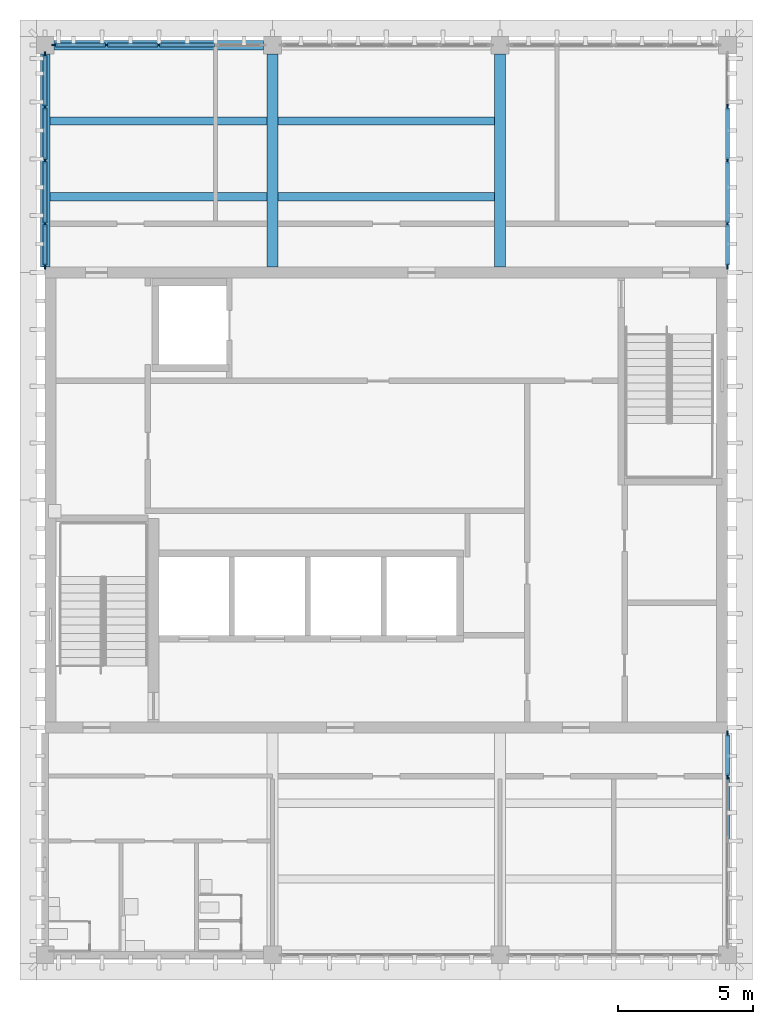
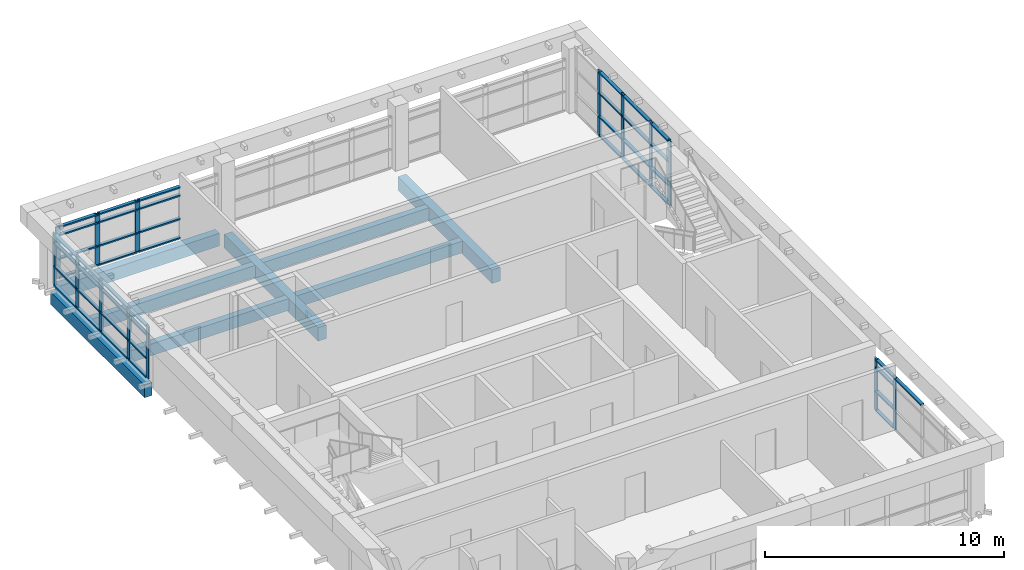
# One storey, part 2 of 10: 59 members, 8 beams, 4 elements without a shape of their own.
"""IFC4 building model written with IfcOpenShell, lengths in metres."""

from ifc_helpers import new_model, si_unit, direction, frame, origin, origin_2d, place, context, subcontext, project, spatial, rectangle, extrude, material, layer, layer_set, material_profile, profile_set, type_object, element, aggregate, save


model = new_model("IFC4")

# Units and contexts
model_context = context("Model", 3, precision=1e-05, world=origin(), true_north=direction((0.0, 1.0)))
body_context = subcontext(model_context, "Body", "Model", "MODEL_VIEW")
ifc_project = project(units=[si_unit("LENGTHUNIT", "METRE"), si_unit("AREAUNIT", "SQUARE_METRE"), si_unit("VOLUMEUNIT", "CUBIC_METRE"), si_unit("PLANEANGLEUNIT", "RADIAN"), si_unit("MASSUNIT", "GRAM", prefix="KILO")], contexts=[model_context])

# Site, building, storey
site_placement = place(None, origin())
site = spatial("IfcSite", under=ifc_project, at=site_placement, CompositionType="ELEMENT")
building_placement = place(site_placement, origin())
building = spatial("IfcBuilding", under=site, at=building_placement, Name="Rulbaag Community and Learning Centre", CompositionType="ELEMENT")
storey_placement = place(building_placement, frame((0.0, 0.0, 61.199951171875)))
storey = spatial("IfcBuildingStorey", under=building, at=storey_placement, Name="L16", CompositionType="ELEMENT", Elevation=61.199951171875)

# Beams
ifc_material_1 = material(Name="Concrete M40", Category="concrete")
ifc_material_profile_1 = material_profile(ifc_material_1, rectangle(XDim=0.39990234375, YDim=0.699951171875, at=origin_2d()), Name="RB400x700")
ifc_profile_set_1 = profile_set([ifc_material_profile_1], Name="Concrete M40")
beam_type_1 = type_object("IfcBeamType", Name="B13 Tower floor beam, upper zone 400x700 Concrete M40", PredefinedType="BEAM", material=ifc_profile_set_1)
for number, where, z_axis, x_axis, name in (
    (1, (151.199951171875, 109.39990234375, -0.64990234375), (0.0, 1.0, 0.0), (-1.0, 0.0, 0.0), "BM-L16-19N-19O"),
    (2, (159.60009765625, 109.39990234375, -0.64990234375), (0.0, 1.0, 0.0), (-1.0, 0.0, 0.0), "BM-L16-20N-20O"),
):
    element("IfcBeam", number, at=place(storey_placement, frame(where, z_axis=z_axis, x_axis=x_axis)), inside=storey, type_object=beam_type_1, Name=name, PredefinedType="BEAM", context=body_context, shape_type="SweptSolid", body=[
        extrude(rectangle(XDim=0.39990234375, YDim=0.699951171875, at=origin_2d()), origin(), (0.0, 0.0, 1.0), 7.8701171875),
    ])
ifc_material_profile_2 = material_profile(ifc_material_1, rectangle(XDim=0.35009765625, YDim=0.64990234375, at=origin_2d()), Name="RB350x650")
ifc_profile_set_2 = profile_set([ifc_material_profile_2], Name="Concrete M40")
beam_type_2 = type_object("IfcBeamType", Name="B14 Tower edge beam, upper zone 350x650 Concrete M40", PredefinedType="BEAM", material=ifc_profile_set_2)
beam_1_placement = place(storey_placement, frame((142.800048828125, 109.39990234375, -0.625), z_axis=(0.0, 1.0, 0.0), x_axis=(-1.0, 0.0, 0.0)))
element("IfcBeam", 3, at=beam_1_placement, inside=storey, type_object=beam_type_2, Name="BM-L16-18N-18O", PredefinedType="BEAM", context=body_context, shape_type="SweptSolid", body=[
    extrude(rectangle(XDim=0.35009765625, YDim=0.64990234375, at=origin_2d()), origin(), (0.0, 0.0, 1.0), 7.8701171875),
])
beam_2_placement = place(storey_placement, frame((143.1298828125, 117.60009765625, -0.625), z_axis=(1.0, 0.0, 0.0), x_axis=(0.0, 1.0, 0.0)))
element("IfcBeam", 4, at=beam_2_placement, inside=storey, type_object=beam_type_2, Name="BM-L16-18O-19O", PredefinedType="BEAM", context=body_context, shape_type="SweptSolid", body=[
    extrude(rectangle(XDim=0.35009765625, YDim=0.64990234375, at=origin_2d()), origin(), (0.0, 0.0, 1.0), 7.740234375),
])
ifc_material_profile_3 = material_profile(ifc_material_1, rectangle(XDim=0.300048828125, YDim=0.60009765625, at=origin_2d()), Name="RB300x600")
ifc_profile_set_3 = profile_set([ifc_material_profile_3], Name="Concrete M40")
beam_type_3 = type_object("IfcBeamType", Name="B30 Secondary joist 300x600 Concrete M40", PredefinedType="BEAM", material=ifc_profile_set_3)
for number, where, z_axis, x_axis, name in (
    (5, (142.97509765625, 112.0, -0.599853515625), (1.0, 0.0, 0.0), (0.0, 1.0, 0.0), "BM-JS-L16-18N-1"),
    (6, (142.97509765625, 114.800048828125, -0.599853515625), (1.0, 0.0, 0.0), (0.0, 1.0, 0.0), "BM-JS-L16-18N-2"),
):
    element("IfcBeam", number, at=place(storey_placement, frame(where, z_axis=z_axis, x_axis=x_axis)), inside=storey, type_object=beam_type_3, Name=name, PredefinedType="BEAM", context=body_context, shape_type="SweptSolid", body=[
        extrude(rectangle(XDim=0.300048828125, YDim=0.60009765625, at=origin_2d()), origin(), (0.0, 0.0, 1.0), 8.02490234375),
    ])
for number, where, z_axis, x_axis, name in (
    (7, (151.39990234375, 112.0, -0.599853515625), (1.0, 0.0, 0.0), (0.0, 1.0, 0.0), "BM-JS-L16-19N-1"),
    (8, (151.39990234375, 114.800048828125, -0.599853515625), (1.0, 0.0, 0.0), (0.0, 1.0, 0.0), "BM-JS-L16-19N-2"),
):
    element("IfcBeam", number, at=place(storey_placement, frame(where, z_axis=z_axis, x_axis=x_axis)), inside=storey, type_object=beam_type_3, Name=name, PredefinedType="BEAM", context=body_context, shape_type="SweptSolid", body=[
        extrude(rectangle(XDim=0.300048828125, YDim=0.60009765625, at=origin_2d()), origin(), (0.0, 0.0, 1.0), 8.0),
    ])

# Curtain wall, members
ifc_material_2 = material(Name="Aluminium", Category="aluminium")
ifc_layer = layer(ifc_material_2, 0.14990234375)
ifc_layer_set = layer_set([ifc_layer], Name="CW-C")
curtain_wall_type = type_object("IfcCurtainWallType", Name="CW-C", PredefinedType="USERDEFINED", material=ifc_layer_set)
curtain_wall_1_placement = place(storey_placement, origin())
curtain_wall_1 = element("IfcCurtainWall", 9, at=curtain_wall_1_placement, inside=storey, type_object=curtain_wall_type, Name="GC-L16-03", ObjectType="UNITISED CURTAIN WALL", PredefinedType="USERDEFINED")
ifc_material_3 = material(Name="Aluminium mullion", Category="aluminium")
ifc_material_profile_4 = material_profile(ifc_material_3, rectangle(XDim=0.070068359375, YDim=0.22509765625, at=origin_2d()), Name="AL 70x225")
ifc_profile_set_4 = profile_set([ifc_material_profile_4], Name="Aluminium mullion")
member_type_1 = type_object("IfcMemberType", Name="CW-C-MUL", PredefinedType="MULLION", material=ifc_profile_set_4)
member_1_placement = place(storey_placement, frame((143.159912109375, 117.60009765625, 0.0), z_axis=(0.0, 0.0, 1.0), x_axis=(0.0, 1.0, 0.0)))
member_1 = element("IfcMember", 10, at=member_1_placement, type_object=member_type_1, Name="GC mullion 1", PredefinedType="MULLION", context=body_context, shape_type="SweptSolid", body=[
    extrude(rectangle(XDim=0.070068359375, YDim=0.22509765625, at=origin_2d()), origin(), (0.0, 0.0, 1.0), 2.650146484375),
])
member_2_placement = place(storey_placement, frame((145.0625, 117.60009765625, 0.0), z_axis=(0.0, 0.0, 1.0), x_axis=(0.0, 1.0, 0.0)))
member_2 = element("IfcMember", 11, at=member_2_placement, type_object=member_type_1, Name="GC mullion 2", PredefinedType="MULLION", context=body_context, shape_type="SweptSolid", body=[
    extrude(rectangle(XDim=0.070068359375, YDim=0.22509765625, at=origin_2d()), origin(), (0.0, 0.0, 1.0), 2.650146484375),
])
member_3_placement = place(storey_placement, frame((147.0, 117.60009765625, 0.0), z_axis=(0.0, 0.0, 1.0), x_axis=(0.0, 1.0, 0.0)))
member_3 = element("IfcMember", 12, at=member_3_placement, type_object=member_type_1, Name="GC mullion 3", PredefinedType="MULLION", context=body_context, shape_type="SweptSolid", body=[
    extrude(rectangle(XDim=0.070068359375, YDim=0.22509765625, at=origin_2d()), origin(), (0.0, 0.0, 1.0), 2.650146484375),
])

curtain_wall_2_placement = place(storey_placement, origin())
curtain_wall_2 = element("IfcCurtainWall", 13, at=curtain_wall_2_placement, inside=storey, type_object=curtain_wall_type, Name="GC-L16-06", ObjectType="UNITISED CURTAIN WALL", PredefinedType="USERDEFINED")
member_4_placement = place(storey_placement, frame((142.800048828125, 109.43505859375, 0.0), z_axis=(0.0, 0.0, 1.0), x_axis=(-1.0, 0.0, 0.0)))
member_4 = element("IfcMember", 14, at=member_4_placement, type_object=member_type_1, Name="GC mullion 1", PredefinedType="MULLION", context=body_context, shape_type="SweptSolid", body=[
    extrude(rectangle(XDim=0.070068359375, YDim=0.22509765625, at=origin_2d()), origin(), (0.0, 0.0, 1.0), 2.650146484375),
])
member_5_placement = place(storey_placement, frame((142.800048828125, 111.0, 0.0), z_axis=(0.0, 0.0, 1.0), x_axis=(-1.0, 0.0, 0.0)))
member_5 = element("IfcMember", 15, at=member_5_placement, type_object=member_type_1, Name="GC mullion 2", PredefinedType="MULLION", context=body_context, shape_type="SweptSolid", body=[
    extrude(rectangle(XDim=0.070068359375, YDim=0.22509765625, at=origin_2d()), origin(), (0.0, 0.0, 1.0), 2.650146484375),
])
member_6_placement = place(storey_placement, frame((142.800048828125, 113.33740234375, 0.0), z_axis=(0.0, 0.0, 1.0), x_axis=(-1.0, 0.0, 0.0)))
member_6 = element("IfcMember", 16, at=member_6_placement, type_object=member_type_1, Name="GC mullion 3", PredefinedType="MULLION", context=body_context, shape_type="SweptSolid", body=[
    extrude(rectangle(XDim=0.070068359375, YDim=0.22509765625, at=origin_2d()), origin(), (0.0, 0.0, 1.0), 2.650146484375),
])
member_7_placement = place(storey_placement, frame((142.800048828125, 115.30615234375, 0.0), z_axis=(0.0, 0.0, 1.0), x_axis=(-1.0, 0.0, 0.0)))
member_7 = element("IfcMember", 17, at=member_7_placement, type_object=member_type_1, Name="GC mullion 4", PredefinedType="MULLION", context=body_context, shape_type="SweptSolid", body=[
    extrude(rectangle(XDim=0.070068359375, YDim=0.22509765625, at=origin_2d()), origin(), (0.0, 0.0, 1.0), 2.650146484375),
])
member_8_placement = place(storey_placement, frame((142.800048828125, 117.239990234375, 0.0), z_axis=(0.0, 0.0, 1.0), x_axis=(-1.0, 0.0, 0.0)))
member_8 = element("IfcMember", 18, at=member_8_placement, type_object=member_type_1, Name="GC mullion 5", PredefinedType="MULLION", context=body_context, shape_type="SweptSolid", body=[
    extrude(rectangle(XDim=0.070068359375, YDim=0.22509765625, at=origin_2d()), origin(), (0.0, 0.0, 1.0), 2.650146484375),
])

curtain_wall_3_placement = place(storey_placement, origin())
curtain_wall_3 = element("IfcCurtainWall", 19, at=curtain_wall_3_placement, inside=storey, type_object=curtain_wall_type, Name="GC-L16-07", ObjectType="UNITISED CURTAIN WALL", PredefinedType="USERDEFINED")
member_9_placement = place(storey_placement, frame((168.0, 90.60009765625, 0.0), z_axis=(0.0, 0.0, 1.0), x_axis=(-1.0, 0.0, 0.0)))
member_9 = element("IfcMember", 20, at=member_9_placement, type_object=member_type_1, Name="GC mullion 4", PredefinedType="MULLION", context=body_context, shape_type="SweptSolid", body=[
    extrude(rectangle(XDim=0.070068359375, YDim=0.22509765625, at=origin_2d()), origin(), (0.0, 0.0, 1.0), 2.650146484375),
])
member_10_placement = place(storey_placement, frame((168.0, 92.1650390625, 0.0), z_axis=(0.0, 0.0, 1.0), x_axis=(-1.0, 0.0, 0.0)))
member_10 = element("IfcMember", 21, at=member_10_placement, type_object=member_type_1, Name="GC mullion 5", PredefinedType="MULLION", context=body_context, shape_type="SweptSolid", body=[
    extrude(rectangle(XDim=0.070068359375, YDim=0.22509765625, at=origin_2d()), origin(), (0.0, 0.0, 1.0), 2.650146484375),
])

curtain_wall_4_placement = place(storey_placement, origin())
curtain_wall_4 = element("IfcCurtainWall", 22, at=curtain_wall_4_placement, inside=storey, type_object=curtain_wall_type, Name="GC-L16-08", ObjectType="UNITISED CURTAIN WALL", PredefinedType="USERDEFINED")
member_11_placement = place(storey_placement, frame((168.0, 109.43505859375, 0.0), z_axis=(0.0, 0.0, 1.0), x_axis=(-1.0, 0.0, 0.0)))
member_11 = element("IfcMember", 23, at=member_11_placement, type_object=member_type_1, Name="GC mullion 1", PredefinedType="MULLION", context=body_context, shape_type="SweptSolid", body=[
    extrude(rectangle(XDim=0.070068359375, YDim=0.22509765625, at=origin_2d()), origin(), (0.0, 0.0, 1.0), 3.300048828125),
])
member_12_placement = place(storey_placement, frame((168.0, 111.0, 0.0), z_axis=(0.0, 0.0, 1.0), x_axis=(-1.0, 0.0, 0.0)))
member_12 = element("IfcMember", 24, at=member_12_placement, type_object=member_type_1, Name="GC mullion 2", PredefinedType="MULLION", context=body_context, shape_type="SweptSolid", body=[
    extrude(rectangle(XDim=0.070068359375, YDim=0.22509765625, at=origin_2d()), origin(), (0.0, 0.0, 1.0), 3.300048828125),
])
member_13_placement = place(storey_placement, frame((168.0, 113.33740234375, 0.0), z_axis=(0.0, 0.0, 1.0), x_axis=(-1.0, 0.0, 0.0)))
member_13 = element("IfcMember", 25, at=member_13_placement, type_object=member_type_1, Name="GC mullion 3", PredefinedType="MULLION", context=body_context, shape_type="SweptSolid", body=[
    extrude(rectangle(XDim=0.070068359375, YDim=0.22509765625, at=origin_2d()), origin(), (0.0, 0.0, 1.0), 3.300048828125),
])
member_14_placement = place(storey_placement, frame((168.0, 115.30615234375, 0.0), z_axis=(0.0, 0.0, 1.0), x_axis=(-1.0, 0.0, 0.0)))
member_14 = element("IfcMember", 26, at=member_14_placement, type_object=member_type_1, Name="GC mullion 4", PredefinedType="MULLION", context=body_context, shape_type="SweptSolid", body=[
    extrude(rectangle(XDim=0.070068359375, YDim=0.22509765625, at=origin_2d()), origin(), (0.0, 0.0, 1.0), 3.300048828125),
])

# Member
ifc_material_4 = material(Name="Aluminium transom", Category="aluminium")
ifc_material_profile_5 = material_profile(ifc_material_4, rectangle(XDim=0.159912109375, YDim=0.070068359375, at=origin_2d()), Name="AL 70x160 T")
ifc_profile_set_5 = profile_set([ifc_material_profile_5], Name="Aluminium transom")
member_type_2 = type_object("IfcMemberType", Name="CW-C-TRN", PredefinedType="USERDEFINED", material=ifc_profile_set_5)
member_15_placement = place(storey_placement, frame((143.195068359375, 117.60009765625, 0.03515625), z_axis=(1.0, 0.0, 0.0), x_axis=(0.0, 1.0, 0.0)))
member_15 = element("IfcMember", 27, at=member_15_placement, type_object=member_type_2, Name="GC transom 1.1", ObjectType="TRANSOM", PredefinedType="USERDEFINED", context=body_context, shape_type="SweptSolid", body=[
    extrude(rectangle(XDim=0.159912109375, YDim=0.070068359375, at=origin_2d()), origin(), (0.0, 0.0, 1.0), 1.83251953125),
])

member_16_placement = place(storey_placement, frame((143.195068359375, 117.60009765625, 1.0), z_axis=(1.0, 0.0, 0.0), x_axis=(0.0, 1.0, 0.0)))
member_16 = element("IfcMember", 28, at=member_16_placement, type_object=member_type_2, Name="GC transom 1.2", ObjectType="TRANSOM", PredefinedType="USERDEFINED", context=body_context, shape_type="SweptSolid", body=[
    extrude(rectangle(XDim=0.159912109375, YDim=0.070068359375, at=origin_2d()), origin(), (0.0, 0.0, 1.0), 1.83251953125),
])

member_17_placement = place(storey_placement, frame((143.195068359375, 117.60009765625, 2.199951171875), z_axis=(1.0, 0.0, 0.0), x_axis=(0.0, 1.0, 0.0)))
member_17 = element("IfcMember", 29, at=member_17_placement, type_object=member_type_2, Name="GC transom 1.3", ObjectType="TRANSOM", PredefinedType="USERDEFINED", context=body_context, shape_type="SweptSolid", body=[
    extrude(rectangle(XDim=0.159912109375, YDim=0.070068359375, at=origin_2d()), origin(), (0.0, 0.0, 1.0), 1.83251953125),
])

member_18_placement = place(storey_placement, frame((143.195068359375, 117.60009765625, 2.614990234375), z_axis=(1.0, 0.0, 0.0), x_axis=(0.0, 1.0, 0.0)))
member_18 = element("IfcMember", 30, at=member_18_placement, type_object=member_type_2, Name="GC transom 1.4", ObjectType="TRANSOM", PredefinedType="USERDEFINED", context=body_context, shape_type="SweptSolid", body=[
    extrude(rectangle(XDim=0.159912109375, YDim=0.070068359375, at=origin_2d()), origin(), (0.0, 0.0, 1.0), 1.83251953125),
])

member_19_placement = place(storey_placement, frame((145.097412109375, 117.60009765625, 0.03515625), z_axis=(1.0, 0.0, 0.0), x_axis=(0.0, 1.0, 0.0)))
member_19 = element("IfcMember", 31, at=member_19_placement, type_object=member_type_2, Name="GC transom 2.1", ObjectType="TRANSOM", PredefinedType="USERDEFINED", context=body_context, shape_type="SweptSolid", body=[
    extrude(rectangle(XDim=0.159912109375, YDim=0.070068359375, at=origin_2d()), origin(), (0.0, 0.0, 1.0), 1.86767578125),
])

member_20_placement = place(storey_placement, frame((145.097412109375, 117.60009765625, 1.0), z_axis=(1.0, 0.0, 0.0), x_axis=(0.0, 1.0, 0.0)))
member_20 = element("IfcMember", 32, at=member_20_placement, type_object=member_type_2, Name="GC transom 2.2", ObjectType="TRANSOM", PredefinedType="USERDEFINED", context=body_context, shape_type="SweptSolid", body=[
    extrude(rectangle(XDim=0.159912109375, YDim=0.070068359375, at=origin_2d()), origin(), (0.0, 0.0, 1.0), 1.86767578125),
])

member_21_placement = place(storey_placement, frame((145.097412109375, 117.60009765625, 2.199951171875), z_axis=(1.0, 0.0, 0.0), x_axis=(0.0, 1.0, 0.0)))
member_21 = element("IfcMember", 33, at=member_21_placement, type_object=member_type_2, Name="GC transom 2.3", ObjectType="TRANSOM", PredefinedType="USERDEFINED", context=body_context, shape_type="SweptSolid", body=[
    extrude(rectangle(XDim=0.159912109375, YDim=0.070068359375, at=origin_2d()), origin(), (0.0, 0.0, 1.0), 1.86767578125),
])

member_22_placement = place(storey_placement, frame((145.097412109375, 117.60009765625, 2.614990234375), z_axis=(1.0, 0.0, 0.0), x_axis=(0.0, 1.0, 0.0)))
member_22 = element("IfcMember", 34, at=member_22_placement, type_object=member_type_2, Name="GC transom 2.4", ObjectType="TRANSOM", PredefinedType="USERDEFINED", context=body_context, shape_type="SweptSolid", body=[
    extrude(rectangle(XDim=0.159912109375, YDim=0.070068359375, at=origin_2d()), origin(), (0.0, 0.0, 1.0), 1.86767578125),
])

member_23_placement = place(storey_placement, frame((147.034912109375, 117.60009765625, 0.03515625), z_axis=(1.0, 0.0, 0.0), x_axis=(0.0, 1.0, 0.0)))
member_23 = element("IfcMember", 35, at=member_23_placement, type_object=member_type_2, Name="GC transom 3.1", ObjectType="TRANSOM", PredefinedType="USERDEFINED", context=body_context, shape_type="SweptSolid", body=[
    extrude(rectangle(XDim=0.159912109375, YDim=0.070068359375, at=origin_2d()), origin(), (0.0, 0.0, 1.0), 2.030029296875),
])

member_24_placement = place(storey_placement, frame((147.034912109375, 117.60009765625, 1.0), z_axis=(1.0, 0.0, 0.0), x_axis=(0.0, 1.0, 0.0)))
member_24 = element("IfcMember", 36, at=member_24_placement, type_object=member_type_2, Name="GC transom 3.2", ObjectType="TRANSOM", PredefinedType="USERDEFINED", context=body_context, shape_type="SweptSolid", body=[
    extrude(rectangle(XDim=0.159912109375, YDim=0.070068359375, at=origin_2d()), origin(), (0.0, 0.0, 1.0), 2.030029296875),
])

member_25_placement = place(storey_placement, frame((147.034912109375, 117.60009765625, 2.199951171875), z_axis=(1.0, 0.0, 0.0), x_axis=(0.0, 1.0, 0.0)))
member_25 = element("IfcMember", 37, at=member_25_placement, type_object=member_type_2, Name="GC transom 3.3", ObjectType="TRANSOM", PredefinedType="USERDEFINED", context=body_context, shape_type="SweptSolid", body=[
    extrude(rectangle(XDim=0.159912109375, YDim=0.070068359375, at=origin_2d()), origin(), (0.0, 0.0, 1.0), 2.030029296875),
])

member_26_placement = place(storey_placement, frame((147.034912109375, 117.60009765625, 2.614990234375), z_axis=(1.0, 0.0, 0.0), x_axis=(0.0, 1.0, 0.0)))
member_26 = element("IfcMember", 38, at=member_26_placement, type_object=member_type_2, Name="GC transom 3.4", ObjectType="TRANSOM", PredefinedType="USERDEFINED", context=body_context, shape_type="SweptSolid", body=[
    extrude(rectangle(XDim=0.159912109375, YDim=0.070068359375, at=origin_2d()), origin(), (0.0, 0.0, 1.0), 2.030029296875),
])

aggregate(curtain_wall_1, [member_1, member_2, member_3, member_15, member_16, member_17, member_18, member_19, member_20, member_21, member_22, member_23, member_24, member_25, member_26])

member_27_placement = place(storey_placement, frame((142.800048828125, 109.469970703125, 0.03515625), z_axis=(0.0, 1.0, 0.0), x_axis=(-1.0, 0.0, 0.0)))
member_27 = element("IfcMember", 39, at=member_27_placement, type_object=member_type_2, Name="GC transom 1.1", ObjectType="TRANSOM", PredefinedType="USERDEFINED", context=body_context, shape_type="SweptSolid", body=[
    extrude(rectangle(XDim=0.159912109375, YDim=0.070068359375, at=origin_2d()), origin(), (0.0, 0.0, 1.0), 1.4951171875),
])

member_28_placement = place(storey_placement, frame((142.800048828125, 109.469970703125, 1.0), z_axis=(0.0, 1.0, 0.0), x_axis=(-1.0, 0.0, 0.0)))
member_28 = element("IfcMember", 40, at=member_28_placement, type_object=member_type_2, Name="GC transom 1.2", ObjectType="TRANSOM", PredefinedType="USERDEFINED", context=body_context, shape_type="SweptSolid", body=[
    extrude(rectangle(XDim=0.159912109375, YDim=0.070068359375, at=origin_2d()), origin(), (0.0, 0.0, 1.0), 1.4951171875),
])

member_29_placement = place(storey_placement, frame((142.800048828125, 109.469970703125, 2.199951171875), z_axis=(0.0, 1.0, 0.0), x_axis=(-1.0, 0.0, 0.0)))
member_29 = element("IfcMember", 41, at=member_29_placement, type_object=member_type_2, Name="GC transom 1.3", ObjectType="TRANSOM", PredefinedType="USERDEFINED", context=body_context, shape_type="SweptSolid", body=[
    extrude(rectangle(XDim=0.159912109375, YDim=0.070068359375, at=origin_2d()), origin(), (0.0, 0.0, 1.0), 1.4951171875),
])

member_30_placement = place(storey_placement, frame((142.800048828125, 109.469970703125, 2.614990234375), z_axis=(0.0, 1.0, 0.0), x_axis=(-1.0, 0.0, 0.0)))
member_30 = element("IfcMember", 42, at=member_30_placement, type_object=member_type_2, Name="GC transom 1.4", ObjectType="TRANSOM", PredefinedType="USERDEFINED", context=body_context, shape_type="SweptSolid", body=[
    extrude(rectangle(XDim=0.159912109375, YDim=0.070068359375, at=origin_2d()), origin(), (0.0, 0.0, 1.0), 1.4951171875),
])

member_31_placement = place(storey_placement, frame((142.800048828125, 111.034912109375, 0.03515625), z_axis=(0.0, 1.0, 0.0), x_axis=(-1.0, 0.0, 0.0)))
member_31 = element("IfcMember", 43, at=member_31_placement, type_object=member_type_2, Name="GC transom 2.1", ObjectType="TRANSOM", PredefinedType="USERDEFINED", context=body_context, shape_type="SweptSolid", body=[
    extrude(rectangle(XDim=0.159912109375, YDim=0.070068359375, at=origin_2d()), origin(), (0.0, 0.0, 1.0), 2.267578125),
])

member_32_placement = place(storey_placement, frame((142.800048828125, 111.034912109375, 1.0), z_axis=(0.0, 1.0, 0.0), x_axis=(-1.0, 0.0, 0.0)))
member_32 = element("IfcMember", 44, at=member_32_placement, type_object=member_type_2, Name="GC transom 2.2", ObjectType="TRANSOM", PredefinedType="USERDEFINED", context=body_context, shape_type="SweptSolid", body=[
    extrude(rectangle(XDim=0.159912109375, YDim=0.070068359375, at=origin_2d()), origin(), (0.0, 0.0, 1.0), 2.267578125),
])

member_33_placement = place(storey_placement, frame((142.800048828125, 111.034912109375, 2.199951171875), z_axis=(0.0, 1.0, 0.0), x_axis=(-1.0, 0.0, 0.0)))
member_33 = element("IfcMember", 45, at=member_33_placement, type_object=member_type_2, Name="GC transom 2.3", ObjectType="TRANSOM", PredefinedType="USERDEFINED", context=body_context, shape_type="SweptSolid", body=[
    extrude(rectangle(XDim=0.159912109375, YDim=0.070068359375, at=origin_2d()), origin(), (0.0, 0.0, 1.0), 2.267578125),
])

member_34_placement = place(storey_placement, frame((142.800048828125, 111.034912109375, 2.614990234375), z_axis=(0.0, 1.0, 0.0), x_axis=(-1.0, 0.0, 0.0)))
member_34 = element("IfcMember", 46, at=member_34_placement, type_object=member_type_2, Name="GC transom 2.4", ObjectType="TRANSOM", PredefinedType="USERDEFINED", context=body_context, shape_type="SweptSolid", body=[
    extrude(rectangle(XDim=0.159912109375, YDim=0.070068359375, at=origin_2d()), origin(), (0.0, 0.0, 1.0), 2.267578125),
])

member_35_placement = place(storey_placement, frame((142.800048828125, 113.37255859375, 0.03515625), z_axis=(0.0, 1.0, 0.0), x_axis=(-1.0, 0.0, 0.0)))
member_35 = element("IfcMember", 47, at=member_35_placement, type_object=member_type_2, Name="GC transom 3.1", ObjectType="TRANSOM", PredefinedType="USERDEFINED", context=body_context, shape_type="SweptSolid", body=[
    extrude(rectangle(XDim=0.159912109375, YDim=0.070068359375, at=origin_2d()), origin(), (0.0, 0.0, 1.0), 1.898681640625),
])

member_36_placement = place(storey_placement, frame((142.800048828125, 113.37255859375, 1.0), z_axis=(0.0, 1.0, 0.0), x_axis=(-1.0, 0.0, 0.0)))
member_36 = element("IfcMember", 48, at=member_36_placement, type_object=member_type_2, Name="GC transom 3.2", ObjectType="TRANSOM", PredefinedType="USERDEFINED", context=body_context, shape_type="SweptSolid", body=[
    extrude(rectangle(XDim=0.159912109375, YDim=0.070068359375, at=origin_2d()), origin(), (0.0, 0.0, 1.0), 1.898681640625),
])

member_37_placement = place(storey_placement, frame((142.800048828125, 113.37255859375, 2.199951171875), z_axis=(0.0, 1.0, 0.0), x_axis=(-1.0, 0.0, 0.0)))
member_37 = element("IfcMember", 49, at=member_37_placement, type_object=member_type_2, Name="GC transom 3.3", ObjectType="TRANSOM", PredefinedType="USERDEFINED", context=body_context, shape_type="SweptSolid", body=[
    extrude(rectangle(XDim=0.159912109375, YDim=0.070068359375, at=origin_2d()), origin(), (0.0, 0.0, 1.0), 1.898681640625),
])

member_38_placement = place(storey_placement, frame((142.800048828125, 113.37255859375, 2.614990234375), z_axis=(0.0, 1.0, 0.0), x_axis=(-1.0, 0.0, 0.0)))
member_38 = element("IfcMember", 50, at=member_38_placement, type_object=member_type_2, Name="GC transom 3.4", ObjectType="TRANSOM", PredefinedType="USERDEFINED", context=body_context, shape_type="SweptSolid", body=[
    extrude(rectangle(XDim=0.159912109375, YDim=0.070068359375, at=origin_2d()), origin(), (0.0, 0.0, 1.0), 1.898681640625),
])

member_39_placement = place(storey_placement, frame((142.800048828125, 115.34130859375, 0.03515625), z_axis=(0.0, 1.0, 0.0), x_axis=(-1.0, 0.0, 0.0)))
member_39 = element("IfcMember", 51, at=member_39_placement, type_object=member_type_2, Name="GC transom 4.1", ObjectType="TRANSOM", PredefinedType="USERDEFINED", context=body_context, shape_type="SweptSolid", body=[
    extrude(rectangle(XDim=0.159912109375, YDim=0.070068359375, at=origin_2d()), origin(), (0.0, 0.0, 1.0), 1.86376953125),
])

member_40_placement = place(storey_placement, frame((142.800048828125, 115.34130859375, 1.0), z_axis=(0.0, 1.0, 0.0), x_axis=(-1.0, 0.0, 0.0)))
member_40 = element("IfcMember", 52, at=member_40_placement, type_object=member_type_2, Name="GC transom 4.2", ObjectType="TRANSOM", PredefinedType="USERDEFINED", context=body_context, shape_type="SweptSolid", body=[
    extrude(rectangle(XDim=0.159912109375, YDim=0.070068359375, at=origin_2d()), origin(), (0.0, 0.0, 1.0), 1.86376953125),
])

member_41_placement = place(storey_placement, frame((142.800048828125, 115.34130859375, 2.199951171875), z_axis=(0.0, 1.0, 0.0), x_axis=(-1.0, 0.0, 0.0)))
member_41 = element("IfcMember", 53, at=member_41_placement, type_object=member_type_2, Name="GC transom 4.3", ObjectType="TRANSOM", PredefinedType="USERDEFINED", context=body_context, shape_type="SweptSolid", body=[
    extrude(rectangle(XDim=0.159912109375, YDim=0.070068359375, at=origin_2d()), origin(), (0.0, 0.0, 1.0), 1.86376953125),
])

member_42_placement = place(storey_placement, frame((142.800048828125, 115.34130859375, 2.614990234375), z_axis=(0.0, 1.0, 0.0), x_axis=(-1.0, 0.0, 0.0)))
member_42 = element("IfcMember", 54, at=member_42_placement, type_object=member_type_2, Name="GC transom 4.4", ObjectType="TRANSOM", PredefinedType="USERDEFINED", context=body_context, shape_type="SweptSolid", body=[
    extrude(rectangle(XDim=0.159912109375, YDim=0.070068359375, at=origin_2d()), origin(), (0.0, 0.0, 1.0), 1.86376953125),
])

aggregate(curtain_wall_2, [member_4, member_5, member_6, member_7, member_8, member_27, member_28, member_29, member_30, member_31, member_32, member_33, member_34, member_35, member_36, member_37, member_38, member_39, member_40, member_41, member_42])

member_43_placement = place(storey_placement, frame((168.0, 88.297607421875, 2.614990234375), z_axis=(0.0, 1.0, 0.0), x_axis=(-1.0, 0.0, 0.0)))
member_43 = element("IfcMember", 55, at=member_43_placement, type_object=member_type_2, Name="GC transom 3.4", ObjectType="TRANSOM", PredefinedType="USERDEFINED", context=body_context, shape_type="SweptSolid", body=[
    extrude(rectangle(XDim=0.159912109375, YDim=0.070068359375, at=origin_2d()), origin(), (0.0, 0.0, 1.0), 2.267333984375),
])

member_44_placement = place(storey_placement, frame((168.0, 90.635009765625, 0.03515625), z_axis=(0.0, 1.0, 0.0), x_axis=(-1.0, 0.0, 0.0)))
member_44 = element("IfcMember", 56, at=member_44_placement, type_object=member_type_2, Name="GC transom 4.1", ObjectType="TRANSOM", PredefinedType="USERDEFINED", context=body_context, shape_type="SweptSolid", body=[
    extrude(rectangle(XDim=0.159912109375, YDim=0.070068359375, at=origin_2d()), origin(), (0.0, 0.0, 1.0), 1.494873046875),
])

member_45_placement = place(storey_placement, frame((168.0, 90.635009765625, 1.0), z_axis=(0.0, 1.0, 0.0), x_axis=(-1.0, 0.0, 0.0)))
member_45 = element("IfcMember", 57, at=member_45_placement, type_object=member_type_2, Name="GC transom 4.2", ObjectType="TRANSOM", PredefinedType="USERDEFINED", context=body_context, shape_type="SweptSolid", body=[
    extrude(rectangle(XDim=0.159912109375, YDim=0.070068359375, at=origin_2d()), origin(), (0.0, 0.0, 1.0), 1.494873046875),
])

member_46_placement = place(storey_placement, frame((168.0, 90.635009765625, 2.199951171875), z_axis=(0.0, 1.0, 0.0), x_axis=(-1.0, 0.0, 0.0)))
member_46 = element("IfcMember", 58, at=member_46_placement, type_object=member_type_2, Name="GC transom 4.3", ObjectType="TRANSOM", PredefinedType="USERDEFINED", context=body_context, shape_type="SweptSolid", body=[
    extrude(rectangle(XDim=0.159912109375, YDim=0.070068359375, at=origin_2d()), origin(), (0.0, 0.0, 1.0), 1.494873046875),
])

member_47_placement = place(storey_placement, frame((168.0, 90.635009765625, 2.614990234375), z_axis=(0.0, 1.0, 0.0), x_axis=(-1.0, 0.0, 0.0)))
member_47 = element("IfcMember", 59, at=member_47_placement, type_object=member_type_2, Name="GC transom 4.4", ObjectType="TRANSOM", PredefinedType="USERDEFINED", context=body_context, shape_type="SweptSolid", body=[
    extrude(rectangle(XDim=0.159912109375, YDim=0.070068359375, at=origin_2d()), origin(), (0.0, 0.0, 1.0), 1.494873046875),
])

aggregate(curtain_wall_3, [member_9, member_10, member_43, member_44, member_45, member_46, member_47])

member_48_placement = place(storey_placement, frame((168.0, 109.469970703125, 0.03515625), z_axis=(0.0, 1.0, 0.0), x_axis=(-1.0, 0.0, 0.0)))
member_48 = element("IfcMember", 60, at=member_48_placement, type_object=member_type_2, Name="GC transom 1.1", ObjectType="TRANSOM", PredefinedType="USERDEFINED", context=body_context, shape_type="SweptSolid", body=[
    extrude(rectangle(XDim=0.159912109375, YDim=0.070068359375, at=origin_2d()), origin(), (0.0, 0.0, 1.0), 1.4951171875),
])

member_49_placement = place(storey_placement, frame((168.0, 109.469970703125, 1.0), z_axis=(0.0, 1.0, 0.0), x_axis=(-1.0, 0.0, 0.0)))
member_49 = element("IfcMember", 61, at=member_49_placement, type_object=member_type_2, Name="GC transom 1.2", ObjectType="TRANSOM", PredefinedType="USERDEFINED", context=body_context, shape_type="SweptSolid", body=[
    extrude(rectangle(XDim=0.159912109375, YDim=0.070068359375, at=origin_2d()), origin(), (0.0, 0.0, 1.0), 1.4951171875),
])

member_50_placement = place(storey_placement, frame((168.0, 109.469970703125, 2.199951171875), z_axis=(0.0, 1.0, 0.0), x_axis=(-1.0, 0.0, 0.0)))
member_50 = element("IfcMember", 62, at=member_50_placement, type_object=member_type_2, Name="GC transom 1.3", ObjectType="TRANSOM", PredefinedType="USERDEFINED", context=body_context, shape_type="SweptSolid", body=[
    extrude(rectangle(XDim=0.159912109375, YDim=0.070068359375, at=origin_2d()), origin(), (0.0, 0.0, 1.0), 1.4951171875),
])

member_51_placement = place(storey_placement, frame((168.0, 109.469970703125, 3.26513671875), z_axis=(0.0, 1.0, 0.0), x_axis=(-1.0, 0.0, 0.0)))
member_51 = element("IfcMember", 63, at=member_51_placement, type_object=member_type_2, Name="GC transom 1.4", ObjectType="TRANSOM", PredefinedType="USERDEFINED", context=body_context, shape_type="SweptSolid", body=[
    extrude(rectangle(XDim=0.159912109375, YDim=0.070068359375, at=origin_2d()), origin(), (0.0, 0.0, 1.0), 1.4951171875),
])

member_52_placement = place(storey_placement, frame((168.0, 111.034912109375, 0.03515625), z_axis=(0.0, 1.0, 0.0), x_axis=(-1.0, 0.0, 0.0)))
member_52 = element("IfcMember", 64, at=member_52_placement, type_object=member_type_2, Name="GC transom 2.1", ObjectType="TRANSOM", PredefinedType="USERDEFINED", context=body_context, shape_type="SweptSolid", body=[
    extrude(rectangle(XDim=0.159912109375, YDim=0.070068359375, at=origin_2d()), origin(), (0.0, 0.0, 1.0), 2.267578125),
])

member_53_placement = place(storey_placement, frame((168.0, 111.034912109375, 1.0), z_axis=(0.0, 1.0, 0.0), x_axis=(-1.0, 0.0, 0.0)))
member_53 = element("IfcMember", 65, at=member_53_placement, type_object=member_type_2, Name="GC transom 2.2", ObjectType="TRANSOM", PredefinedType="USERDEFINED", context=body_context, shape_type="SweptSolid", body=[
    extrude(rectangle(XDim=0.159912109375, YDim=0.070068359375, at=origin_2d()), origin(), (0.0, 0.0, 1.0), 2.267578125),
])

member_54_placement = place(storey_placement, frame((168.0, 111.034912109375, 2.199951171875), z_axis=(0.0, 1.0, 0.0), x_axis=(-1.0, 0.0, 0.0)))
member_54 = element("IfcMember", 66, at=member_54_placement, type_object=member_type_2, Name="GC transom 2.3", ObjectType="TRANSOM", PredefinedType="USERDEFINED", context=body_context, shape_type="SweptSolid", body=[
    extrude(rectangle(XDim=0.159912109375, YDim=0.070068359375, at=origin_2d()), origin(), (0.0, 0.0, 1.0), 2.267578125),
])

member_55_placement = place(storey_placement, frame((168.0, 111.034912109375, 3.26513671875), z_axis=(0.0, 1.0, 0.0), x_axis=(-1.0, 0.0, 0.0)))
member_55 = element("IfcMember", 67, at=member_55_placement, type_object=member_type_2, Name="GC transom 2.4", ObjectType="TRANSOM", PredefinedType="USERDEFINED", context=body_context, shape_type="SweptSolid", body=[
    extrude(rectangle(XDim=0.159912109375, YDim=0.070068359375, at=origin_2d()), origin(), (0.0, 0.0, 1.0), 2.267578125),
])

member_56_placement = place(storey_placement, frame((168.0, 113.37255859375, 0.03515625), z_axis=(0.0, 1.0, 0.0), x_axis=(-1.0, 0.0, 0.0)))
member_56 = element("IfcMember", 68, at=member_56_placement, type_object=member_type_2, Name="GC transom 3.1", ObjectType="TRANSOM", PredefinedType="USERDEFINED", context=body_context, shape_type="SweptSolid", body=[
    extrude(rectangle(XDim=0.159912109375, YDim=0.070068359375, at=origin_2d()), origin(), (0.0, 0.0, 1.0), 1.898681640625),
])

member_57_placement = place(storey_placement, frame((168.0, 113.37255859375, 1.0), z_axis=(0.0, 1.0, 0.0), x_axis=(-1.0, 0.0, 0.0)))
member_57 = element("IfcMember", 69, at=member_57_placement, type_object=member_type_2, Name="GC transom 3.2", ObjectType="TRANSOM", PredefinedType="USERDEFINED", context=body_context, shape_type="SweptSolid", body=[
    extrude(rectangle(XDim=0.159912109375, YDim=0.070068359375, at=origin_2d()), origin(), (0.0, 0.0, 1.0), 1.898681640625),
])

member_58_placement = place(storey_placement, frame((168.0, 113.37255859375, 2.199951171875), z_axis=(0.0, 1.0, 0.0), x_axis=(-1.0, 0.0, 0.0)))
member_58 = element("IfcMember", 70, at=member_58_placement, type_object=member_type_2, Name="GC transom 3.3", ObjectType="TRANSOM", PredefinedType="USERDEFINED", context=body_context, shape_type="SweptSolid", body=[
    extrude(rectangle(XDim=0.159912109375, YDim=0.070068359375, at=origin_2d()), origin(), (0.0, 0.0, 1.0), 1.898681640625),
])

member_59_placement = place(storey_placement, frame((168.0, 113.37255859375, 3.26513671875), z_axis=(0.0, 1.0, 0.0), x_axis=(-1.0, 0.0, 0.0)))
member_59 = element("IfcMember", 71, at=member_59_placement, type_object=member_type_2, Name="GC transom 3.4", ObjectType="TRANSOM", PredefinedType="USERDEFINED", context=body_context, shape_type="SweptSolid", body=[
    extrude(rectangle(XDim=0.159912109375, YDim=0.070068359375, at=origin_2d()), origin(), (0.0, 0.0, 1.0), 1.898681640625),
])

aggregate(curtain_wall_4, [member_11, member_12, member_13, member_14, member_48, member_49, member_50, member_51, member_52, member_53, member_54, member_55, member_56, member_57, member_58, member_59])

save(model, "model.ifc")
